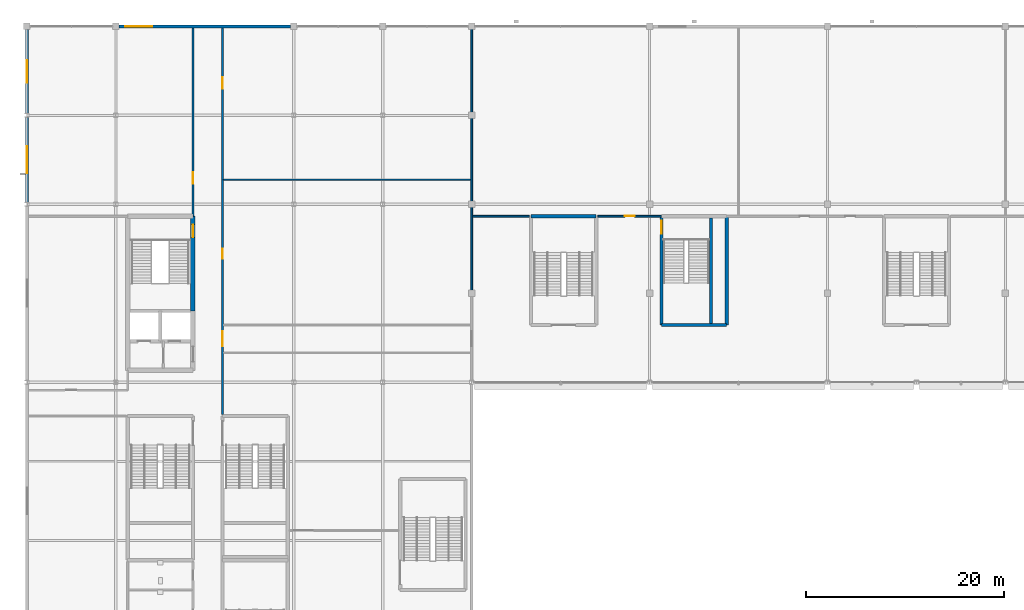
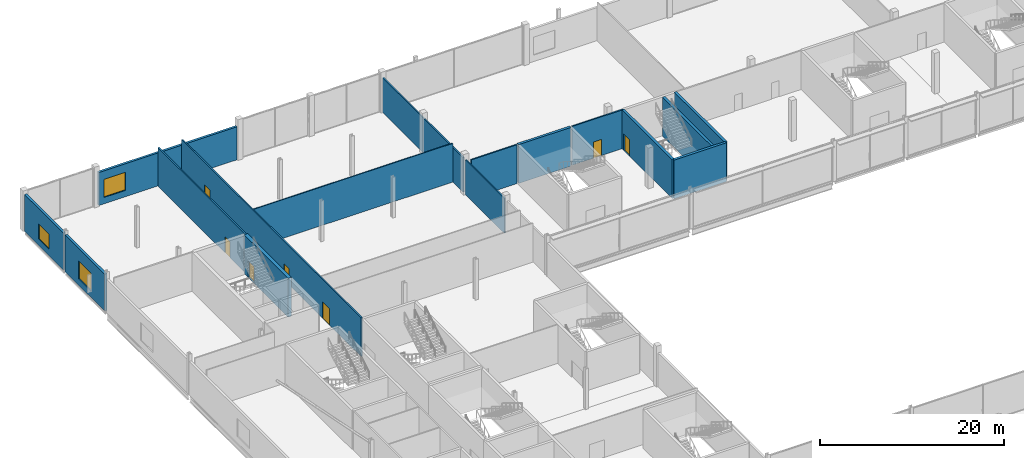
# One storey, part 62 of 111: 16 walls, 7 doors, 3 windows, 10 openings.
"""IFC4 building model written with IfcOpenShell, lengths in metres."""

from ifc_helpers import new_model, si_unit, direction, frame, frame_2d, origin, place, context, subcontext, project, spatial, rectangle, extrude, material, layer, layer_set, type_object, element, fill, save


model = new_model("IFC4")

# Units and contexts
model_context = context("Model", 3, precision=1e-05, world=origin(), true_north=direction((0.0, 1.0)))
body_context = subcontext(model_context, "Body", "Model", "MODEL_VIEW")
ifc_project = project(units=[si_unit("LENGTHUNIT", "METRE"), si_unit("AREAUNIT", "SQUARE_METRE"), si_unit("VOLUMEUNIT", "CUBIC_METRE"), si_unit("PLANEANGLEUNIT", "RADIAN"), si_unit("MASSUNIT", "GRAM", prefix="KILO")], contexts=[model_context])

# Site, building, storey
site_placement = place(None, origin())
site = spatial("IfcSite", under=ifc_project, at=site_placement, CompositionType="ELEMENT")
building_placement = place(site_placement, origin())
building = spatial("IfcBuilding", under=site, at=building_placement, Name="Kisiwana Market Hall", CompositionType="ELEMENT")
storey_placement = place(building_placement, frame((0.0, 0.0, 11.39990234375)))
storey = spatial("IfcBuildingStorey", under=building, at=storey_placement, Name="L02", CompositionType="ELEMENT", Elevation=11.39990234375)

# Wall
ifc_material_1 = material(Name="Concrete C40/50", Category="concrete")
ifc_layer_1 = layer(ifc_material_1, 0.320068359375, Name="Reinforced concrete shaft wall")
ifc_layer_set_1 = layer_set([ifc_layer_1], Name="WL-CORE-320")
wall_type_1 = type_object("IfcWallType", Name="WL-CORE-320", PredefinedType="SHEAR", material=ifc_layer_set_1)
wall_1_placement = place(storey_placement, frame((64.199951171875, 89.800048828125, 0.0), z_axis=(0.0, 0.0, 1.0), x_axis=(1.0, 0.0, 0.0)))
element("IfcWall", 1, at=wall_1_placement, inside=storey, type_object=wall_type_1, Name="Core N1 south wall W-0965", PredefinedType="SHEAR", context=body_context, shape_type="SweptSolid", body=[
    extrude(rectangle(XDim=6.60009765625, YDim=0.320068359375, at=frame_2d((3.300048828125, 0.0))), origin(), (0.0, 0.0, 1.0), 5.150146484375),
])

# Wall, opening, door
wall_2_placement = place(storey_placement, frame((64.199951171875, 89.800048828125, 0.0), z_axis=(0.0, 0.0, 1.0), x_axis=(0.0, 1.0, 0.0)))
wall_2 = element("IfcWall", 2, at=wall_2_placement, inside=storey, type_object=wall_type_1, Name="Core N1 west wall W-0967", PredefinedType="SHEAR", context=body_context, shape_type="SweptSolid", body=[
    extrude(rectangle(XDim=11.0, YDim=0.320068359375, at=frame_2d((5.5, 0.0))), origin(), (0.0, 0.0, 1.0), 5.150146484375),
])
opening_1_placement = place(wall_2_placement, frame((9.25, 0.0, 0.0)))
opening_1 = element("IfcOpeningElement", 3, at=opening_1_placement, cuts=wall_2, Name="Opening DR-L02-016", PredefinedType="OPENING", context=body_context, shape_type="SweptSolid", body=[
    extrude(rectangle(XDim=1.300048828125, YDim=2.199951171875, at=frame_2d((0.64990234375, 1.10009765625))), frame((0.0, 0.171875, 0.0), z_axis=(0.0, -1.0, 0.0), x_axis=(1.0, 0.0, 0.0)), (0.0, 0.0, 1.0), 0.343994140625),
])
ifc_material_2 = material(Name="Steel S275", Category="steel")
door_type_1 = type_object("IfcDoorType", Name="DR-STAIR-FD120-1300", OperationType="NOTDEFINED", PredefinedType="DOOR", material=ifc_material_2)
door_1_placement = place(opening_1_placement, origin())
door_1 = element("IfcDoor", 4, at=door_1_placement, inside=storey, type_object=door_type_1, Name="Podium Escape Stair N1 Fire Door (L02)", OperationType="SINGLE_SWING_RIGHT", OverallHeight=2.199951171875, OverallWidth=1.300048828125, PredefinedType="DOOR", context=body_context, shape_type="SweptSolid", body=[
    extrude(rectangle(XDim=1.300048828125, YDim=2.199951171875, at=frame_2d((0.64990234375, 1.10009765625))), frame((0.0, 0.02490234375, 0.0), z_axis=(0.0, -1.0, 0.0), x_axis=(1.0, 0.0, 0.0)), (0.0, 0.0, 1.0), 0.050048828125),
])
fill(opening_1, door_1)

# Walls
wall_3_placement = place(storey_placement, frame((70.800048828125, 89.800048828125, 0.0), z_axis=(0.0, 0.0, 1.0), x_axis=(0.0, 1.0, 0.0)))
element("IfcWall", 5, at=wall_3_placement, inside=storey, type_object=wall_type_1, Name="Core N1 east wall W-0968", PredefinedType="SHEAR", context=body_context, shape_type="SweptSolid", body=[
    extrude(rectangle(XDim=11.0, YDim=0.320068359375, at=frame_2d((5.5, 0.0))), origin(), (0.0, 0.0, 1.0), 5.150146484375),
])
wall_4_placement = place(storey_placement, frame((69.219970703125, 89.9599609375, 0.0), z_axis=(0.0, 0.0, 1.0), x_axis=(0.0, 1.0, 0.0)))
element("IfcWall", 6, at=wall_4_placement, inside=storey, type_object=wall_type_1, Name="Core N1 shaft divider W-0969", PredefinedType="SHEAR", context=body_context, shape_type="SweptSolid", body=[
    extrude(rectangle(XDim=10.679931640625, YDim=0.320068359375, at=frame_2d((5.33984375, 0.0))), origin(), (0.0, 0.0, 1.0), 5.150146484375),
])
wall_5_placement = place(storey_placement, frame((51.0, 100.800048828125, 0.0), z_axis=(0.0, 0.0, 1.0), x_axis=(1.0, 0.0, 0.0)))
element("IfcWall", 7, at=wall_5_placement, inside=storey, type_object=wall_type_1, Name="Core N3 outer shear wall W-1045", PredefinedType="SHEAR", context=body_context, shape_type="SweptSolid", body=[
    extrude(rectangle(XDim=6.60009765625, YDim=0.320068359375, at=frame_2d((3.300048828125, 0.0))), origin(), (0.0, 0.0, 1.0), 5.150146484375),
])

# Wall, opening, door
ifc_material_3 = material(Name="Concrete C40/50", Category="concrete")
ifc_layer_2 = layer(ifc_material_3, 0.449951171875, Name="Reinforced concrete core wall")
ifc_layer_set_2 = layer_set([ifc_layer_2], Name="WL-CORE-450")
wall_type_2 = type_object("IfcWallType", Name="WL-CORE-450", PredefinedType="SHEAR", material=ifc_layer_set_2)
wall_6_placement = place(storey_placement, frame((16.800048828125, 91.215087890625, 0.0), z_axis=(0.0, 0.0, 1.0), x_axis=(0.0, 1.0, 0.0)))
wall_6 = element("IfcWall", 8, at=wall_6_placement, inside=storey, type_object=wall_type_2, Name="Core W1 stair corridor shear wall W-0931", PredefinedType="SHEAR", context=body_context, shape_type="SweptSolid", body=[
    extrude(rectangle(XDim=9.5849609375, YDim=0.449951171875, at=frame_2d((4.79248046875, 0.0))), origin(), (0.0, 0.0, 1.0), 5.150146484375),
])
opening_2_placement = place(wall_6_placement, frame((7.43505859375, 0.0, 0.0)))
opening_2 = element("IfcOpeningElement", 9, at=opening_2_placement, cuts=wall_6, Name="Opening DR-L02-005", PredefinedType="OPENING", context=body_context, shape_type="SweptSolid", body=[
    extrude(rectangle(XDim=1.300048828125, YDim=2.199951171875, at=frame_2d((0.64990234375, 1.10009765625))), frame((0.0, 0.23681640625, 0.0), z_axis=(0.0, -1.0, 0.0), x_axis=(1.0, 0.0, 0.0)), (0.0, 0.0, 1.0), 0.473876953125),
])
door_2_placement = place(opening_2_placement, origin())
door_2 = element("IfcDoor", 10, at=door_2_placement, inside=storey, type_object=door_type_1, Name="Escape Stair W1 Fire Door (L02)", OperationType="SINGLE_SWING_RIGHT", OverallHeight=2.199951171875, OverallWidth=1.300048828125, PredefinedType="DOOR", context=body_context, shape_type="SweptSolid", body=[
    extrude(rectangle(XDim=1.300048828125, YDim=2.199951171875, at=frame_2d((0.64990234375, 1.10009765625))), frame((0.0, 0.02490234375, 0.0), z_axis=(0.0, -1.0, 0.0), x_axis=(1.0, 0.0, 0.0)), (0.0, 0.0, 1.0), 0.050048828125),
])
fill(opening_2, door_2)

ifc_material_4 = material(Name="Masonry blockwork", Category="masonry")
ifc_layer_3 = layer(ifc_material_4, 0.169921875, Name="Protected corridor partition")
ifc_layer_set_3 = layer_set([ifc_layer_3], Name="WL-CORR-170")
wall_type_3 = type_object("IfcWallType", Name="WL-CORR-170", PredefinedType="PARTITIONING", material=ifc_layer_set_3)
wall_7_placement = place(storey_placement, frame((16.800048828125, 100.800048828125, 0.0), z_axis=(0.0, 0.0, 1.0), x_axis=(0.0, 1.0, 0.0)))
wall_7 = element("IfcWall", 11, at=wall_7_placement, inside=storey, type_object=wall_type_3, Name="Interior partition W-1117", PredefinedType="PARTITIONING", context=body_context, shape_type="SweptSolid", body=[
    extrude(rectangle(XDim=19.017333984375, YDim=0.169921875, at=frame_2d((9.5087890625, 0.0))), origin(), (0.0, 0.0, 1.0), 5.150146484375),
])
opening_3_placement = place(wall_7_placement, frame((3.300048828125, 0.0, 0.0)))
opening_3 = element("IfcOpeningElement", 12, at=opening_3_placement, cuts=wall_7, Name="Opening DR-L02-050", PredefinedType="OPENING", context=body_context, shape_type="SweptSolid", body=[
    extrude(rectangle(XDim=1.14990234375, YDim=2.14990234375, at=frame_2d((0.574951171875, 1.074951171875))), frame((0.0, 0.096923828125, 0.0), z_axis=(0.0, -1.0, 0.0), x_axis=(1.0, 0.0, 0.0)), (0.0, 0.0, 1.0), 0.19384765625),
])
ifc_material_5 = material(Name="Aluminium alloy 6063-T6", Category="aluminium")
door_type_2 = type_object("IfcDoorType", Name="DR-MEET-1150", OperationType="NOTDEFINED", PredefinedType="DOOR", material=ifc_material_5)
door_3_placement = place(opening_3_placement, origin())
door_3 = element("IfcDoor", 13, at=door_3_placement, inside=storey, type_object=door_type_2, Name="L02 W Corner Office Suite North Door", OperationType="SINGLE_SWING_LEFT", OverallHeight=2.14990234375, OverallWidth=1.14990234375, PredefinedType="DOOR", context=body_context, shape_type="SweptSolid", body=[
    extrude(rectangle(XDim=1.14990234375, YDim=2.14990234375, at=frame_2d((0.574951171875, 1.074951171875))), frame((0.0, 0.02490234375, 0.0), z_axis=(0.0, -1.0, 0.0), x_axis=(1.0, 0.0, 0.0)), (0.0, 0.0, 1.0), 0.050048828125),
])
fill(opening_3, door_3)

# Wall, openings, doors
wall_8_placement = place(storey_placement, frame((19.800048828125, 80.760009765625, 0.0), z_axis=(0.0, 0.0, 1.0), x_axis=(0.0, 1.0, 0.0)))
wall_8 = element("IfcWall", 14, at=wall_8_placement, inside=storey, type_object=wall_type_3, Name="Interior partition W-1127", PredefinedType="PARTITIONING", context=body_context, shape_type="SweptSolid", body=[
    extrude(rectangle(XDim=39.057373046875, YDim=0.169921875, at=frame_2d((19.52880859375, 0.0))), origin(), (0.0, 0.0, 1.0), 5.150146484375),
])
opening_4_placement = place(wall_8_placement, frame((6.89111328125, 0.0, 0.0)))
opening_4 = element("IfcOpeningElement", 15, at=opening_4_placement, cuts=wall_8, Name="Opening DR-L02-060", PredefinedType="OPENING", context=body_context, shape_type="SweptSolid", body=[
    extrude(rectangle(XDim=1.5, YDim=2.199951171875, at=frame_2d((0.75, 1.10009765625))), frame((0.0, 0.096923828125, 0.0), z_axis=(0.0, -1.0, 0.0), x_axis=(1.0, 0.0, 0.0)), (0.0, 0.0, 1.0), 0.19384765625),
])
opening_5_placement = place(wall_8_placement, frame((15.7509765625, 0.0, 0.0)))
opening_5 = element("IfcOpeningElement", 16, at=opening_5_placement, cuts=wall_8, Name="Opening DR-L02-061", PredefinedType="OPENING", context=body_context, shape_type="SweptSolid", body=[
    extrude(rectangle(XDim=1.0, YDim=2.14990234375, at=frame_2d((0.5, 1.074951171875))), frame((0.0, 0.096923828125, 0.0), z_axis=(0.0, -1.0, 0.0), x_axis=(1.0, 0.0, 0.0)), (0.0, 0.0, 1.0), 0.19384765625),
])
opening_6_placement = place(wall_8_placement, frame((32.949951171875, 0.0, 0.0)))
opening_6 = element("IfcOpeningElement", 17, at=opening_6_placement, cuts=wall_8, Name="Opening DR-L02-062", PredefinedType="OPENING", context=body_context, shape_type="SweptSolid", body=[
    extrude(rectangle(XDim=1.14990234375, YDim=2.14990234375, at=frame_2d((0.574951171875, 1.074951171875))), frame((0.0, 0.096923828125, 0.0), z_axis=(0.0, -1.0, 0.0), x_axis=(1.0, 0.0, 0.0)), (0.0, 0.0, 1.0), 0.19384765625),
])
ifc_material_6 = material(Name="Steel S275", Category="steel")
door_type_3 = type_object("IfcDoorType", Name="DR-CORR-FD60-1500", OperationType="DOUBLE_DOOR_SINGLE_SWING", PredefinedType="DOOR", material=ifc_material_6)
door_4_placement = place(opening_4_placement, origin())
door_4 = element("IfcDoor", 18, at=door_4_placement, inside=storey, type_object=door_type_3, Name="L02 W North Guild Link Corridor Door", OperationType="DOUBLE_DOOR_SINGLE_SWING", OverallHeight=2.199951171875, OverallWidth=1.5, PredefinedType="DOOR", context=body_context, shape_type="SweptSolid", body=[
    extrude(rectangle(XDim=1.5, YDim=2.199951171875, at=frame_2d((0.75, 1.10009765625))), frame((0.0, 0.02490234375, 0.0), z_axis=(0.0, -1.0, 0.0), x_axis=(1.0, 0.0, 0.0)), (0.0, 0.0, 1.0), 0.050048828125),
])
fill(opening_4, door_4)
door_5_placement = place(opening_6_placement, frame((1.14990234375, 0.0, 0.0), z_axis=(0.0, 0.0, 1.0), x_axis=(-1.0, 0.0, 0.0)))
door_5 = element("IfcDoor", 19, at=door_5_placement, inside=storey, type_object=door_type_2, Name="L02 W Artisan Guild Studio Door", OperationType="SINGLE_SWING_LEFT", OverallHeight=2.14990234375, OverallWidth=1.14990234375, PredefinedType="DOOR", context=body_context, shape_type="SweptSolid", body=[
    extrude(rectangle(XDim=1.14990234375, YDim=2.14990234375, at=frame_2d((0.574951171875, 1.074951171875))), frame((0.0, 0.02490234375, 0.0), z_axis=(0.0, -1.0, 0.0), x_axis=(1.0, 0.0, 0.0)), (0.0, 0.0, 1.0), 0.050048828125),
])
fill(opening_6, door_5)
ifc_material_7 = material(Name="Aluminium alloy 6063-T6", Category="aluminium")
door_type_4 = type_object("IfcDoorType", Name="DR-OFF-1000", OperationType="NOTDEFINED", PredefinedType="DOOR", material=ifc_material_7)
door_6_placement = place(opening_5_placement, frame((1.0, 0.0, 0.0), z_axis=(0.0, 0.0, 1.0), x_axis=(-1.0, 0.0, 0.0)))
door_6 = element("IfcDoor", 20, at=door_6_placement, inside=storey, type_object=door_type_4, Name="L02 W Co-Working Studio North Door", OperationType="SINGLE_SWING_RIGHT", OverallHeight=2.14990234375, OverallWidth=1.0, PredefinedType="DOOR", context=body_context, shape_type="SweptSolid", body=[
    extrude(rectangle(XDim=1.0, YDim=2.14990234375, at=frame_2d((0.5, 1.074951171875))), frame((0.0, 0.02490234375, 0.0), z_axis=(0.0, -1.0, 0.0), x_axis=(1.0, 0.0, 0.0)), (0.0, 0.0, 1.0), 0.050048828125),
])
fill(opening_5, door_6)

# Walls
wall_9_placement = place(storey_placement, frame((45.0, 93.219970703125, 0.0), z_axis=(0.0, 0.0, 1.0), x_axis=(0.0, 1.0, 0.0)))
element("IfcWall", 21, at=wall_9_placement, inside=storey, type_object=wall_type_3, Name="Interior partition W-1132", PredefinedType="PARTITIONING", context=body_context, shape_type="SweptSolid", body=[
    extrude(rectangle(XDim=8.56005859375, YDim=0.169921875, at=frame_2d((4.280029296875, 0.0))), origin(), (0.0, 0.0, 1.0), 4.616943359375),
])
wall_10_placement = place(storey_placement, frame((45.0, 102.219970703125, 0.0), z_axis=(0.0, 0.0, 1.0), x_axis=(0.0, 1.0, 0.0)))
element("IfcWall", 22, at=wall_10_placement, inside=storey, type_object=wall_type_3, Name="Interior partition W-1133", PredefinedType="PARTITIONING", context=body_context, shape_type="SweptSolid", body=[
    extrude(rectangle(XDim=17.56005859375, YDim=0.169921875, at=frame_2d((8.780029296875, 0.0))), origin(), (0.0, 0.0, 1.0), 4.60888671875),
])
wall_11_placement = place(storey_placement, frame((45.0849609375, 100.800048828125, 0.0), z_axis=(0.0, 0.0, 1.0), x_axis=(1.0, 0.0, 0.0)))
element("IfcWall", 23, at=wall_11_placement, inside=storey, type_object=wall_type_3, Name="Interior partition W-1177", PredefinedType="PARTITIONING", context=body_context, shape_type="SweptSolid", body=[
    extrude(rectangle(XDim=5.755126953125, YDim=0.169921875, at=frame_2d((2.87744140625, 0.0))), origin(), (0.0, 0.0, 1.0), 5.150146484375),
])

# Wall, opening, door
wall_12_placement = place(storey_placement, frame((57.760009765625, 100.800048828125, 0.0), z_axis=(0.0, 0.0, 1.0), x_axis=(1.0, 0.0, 0.0)))
wall_12 = element("IfcWall", 24, at=wall_12_placement, inside=storey, type_object=wall_type_3, Name="Interior partition W-1178", PredefinedType="PARTITIONING", context=body_context, shape_type="SweptSolid", body=[
    extrude(rectangle(XDim=6.43994140625, YDim=0.169921875, at=frame_2d((3.219970703125, 0.0))), origin(), (0.0, 0.0, 1.0), 5.150146484375),
])
opening_7_placement = place(wall_12_placement, frame((2.719970703125, 0.0, 0.0)))
opening_7 = element("IfcOpeningElement", 25, at=opening_7_placement, cuts=wall_12, Name="Opening DR-L02-092", PredefinedType="OPENING", context=body_context, shape_type="SweptSolid", body=[
    extrude(rectangle(XDim=1.0, YDim=2.14990234375, at=frame_2d((0.5, 1.074951171875))), frame((0.0, 0.096923828125, 0.0), z_axis=(0.0, -1.0, 0.0), x_axis=(1.0, 0.0, 0.0)), (0.0, 0.0, 1.0), 0.19384765625),
])
door_7_placement = place(opening_7_placement, origin())
door_7 = element("IfcDoor", 26, at=door_7_placement, inside=storey, type_object=door_type_4, Name="L02 Studio N1 Door", OperationType="SINGLE_SWING_LEFT", OverallHeight=2.14990234375, OverallWidth=1.0, PredefinedType="DOOR", context=body_context, shape_type="SweptSolid", body=[
    extrude(rectangle(XDim=1.0, YDim=2.14990234375, at=frame_2d((0.5, 1.074951171875))), frame((0.0, 0.02490234375, 0.0), z_axis=(0.0, -1.0, 0.0), x_axis=(1.0, 0.0, 0.0)), (0.0, 0.0, 1.0), 0.050048828125),
])
fill(opening_7, door_7)

# Wall, opening, window
ifc_material_8 = material(Name="Masonry blockwork", Category="masonry")
ifc_layer_4 = layer(ifc_material_8, 0.139892578125, Name="Rendered masonry outer leaf")
ifc_material_9 = material(Name="Mineral wool insulation")
ifc_layer_5 = layer(ifc_material_9, 0.074951171875, Name="Mineral wool cavity insulation")
ifc_material_10 = material(Name="Gypsum plasterboard")
ifc_layer_6 = layer(ifc_material_10, 0.074951171875, Name="Calcium silicate inner lining")
ifc_layer_set_4 = layer_set([ifc_layer_4, ifc_layer_5, ifc_layer_6], Name="WL-EXT-MAS-290")
wall_type_4 = type_object("IfcWallType", Name="WL-EXT-MAS-290", PredefinedType="STANDARD", material=ifc_layer_set_4)
wall_13_placement = place(storey_placement, frame((9.31689453125, 120.0, 0.0), z_axis=(0.0, 0.0, 1.0), x_axis=(1.0, 0.0, 0.0)))
wall_13 = element("IfcWall", 27, at=wall_13_placement, inside=storey, type_object=wall_type_4, Name="Exterior wall W-1076", PredefinedType="STANDARD", context=body_context, shape_type="SweptSolid", body=[
    extrude(rectangle(XDim=17.3662109375, YDim=0.2900390625, at=frame_2d((8.68310546875, 0.0))), origin(), (0.0, 0.0, 1.0), 4.387939453125),
])
opening_8_placement = place(wall_13_placement, frame((0.64990234375, 0.0, 0.85009765625)))
opening_8 = element("IfcOpeningElement", 28, at=opening_8_placement, cuts=wall_13, Name="Opening WN-10", PredefinedType="OPENING", context=body_context, shape_type="SweptSolid", body=[
    extrude(rectangle(XDim=2.699951171875, YDim=2.39990234375, at=frame_2d((1.35009765625, 1.199951171875))), frame((0.0, 0.156982421875, 0.0), z_axis=(0.0, -1.0, 0.0), x_axis=(1.0, 0.0, 0.0)), (0.0, 0.0, 1.0), 0.31396484375),
])
ifc_material_11 = material(Name="Double-glazed solar-control low-E IGU", Category="glass")
window_type_1 = type_object("IfcWindowType", Name="WN-GLD-2700x2400", PartitioningType="SINGLE_PANEL", PredefinedType="WINDOW", material=ifc_material_11)
window_1_placement = place(opening_8_placement, origin())
window_1 = element("IfcWindow", 29, at=window_1_placement, inside=storey, type_object=window_type_1, Name="Exterior window WN-033", OverallHeight=2.39990234375, OverallWidth=2.699951171875, PartitioningType="SINGLE_PANEL", PredefinedType="WINDOW", context=body_context, shape_type="SweptSolid", body=[
    extrude(rectangle(XDim=2.699951171875, YDim=2.39990234375, at=frame_2d((1.35009765625, 1.199951171875))), frame((0.0, 0.030029296875, 0.0), z_axis=(0.0, -1.0, 0.0), x_axis=(1.0, 0.0, 0.0)), (0.0, 0.0, 1.0), 0.06005859375),
])
fill(opening_8, window_1)

wall_14_placement = place(storey_placement, frame((0.0, 102.194091796875, 0.0), z_axis=(0.0, 0.0, 1.0), x_axis=(0.0, 1.0, 0.0)))
wall_14 = element("IfcWall", 30, at=wall_14_placement, inside=storey, type_object=wall_type_4, Name="Exterior wall W-1086", PredefinedType="STANDARD", context=body_context, shape_type="SweptSolid", body=[
    extrude(rectangle(XDim=8.6171875, YDim=0.2900390625, at=frame_2d((4.30859375, 0.0))), origin(), (0.0, 0.0, 1.0), 4.900146484375),
])
opening_9_placement = place(wall_14_placement, frame((2.958740234375, 0.0, 0.85009765625)))
opening_9 = element("IfcOpeningElement", 31, at=opening_9_placement, cuts=wall_14, Name="Opening WN-10", PredefinedType="OPENING", context=body_context, shape_type="SweptSolid", body=[
    extrude(rectangle(XDim=2.699951171875, YDim=2.39990234375, at=frame_2d((1.35009765625, 1.199951171875))), frame((0.0, 0.156982421875, 0.0), z_axis=(0.0, -1.0, 0.0), x_axis=(1.0, 0.0, 0.0)), (0.0, 0.0, 1.0), 0.31396484375),
])
window_2_placement = place(opening_9_placement, origin())
window_2 = element("IfcWindow", 32, at=window_2_placement, inside=storey, type_object=window_type_1, Name="Exterior window WN-042", OverallHeight=2.39990234375, OverallWidth=2.699951171875, PartitioningType="SINGLE_PANEL", PredefinedType="WINDOW", context=body_context, shape_type="SweptSolid", body=[
    extrude(rectangle(XDim=2.699951171875, YDim=2.39990234375, at=frame_2d((1.35009765625, 1.199951171875))), frame((0.0, 0.030029296875, 0.0), z_axis=(0.0, -1.0, 0.0), x_axis=(1.0, 0.0, 0.0)), (0.0, 0.0, 1.0), 0.06005859375),
])
fill(opening_9, window_2)

wall_15_placement = place(storey_placement, frame((0.0, 111.188720703125, 0.0), z_axis=(0.0, 0.0, 1.0), x_axis=(0.0, 1.0, 0.0)))
wall_15 = element("IfcWall", 33, at=wall_15_placement, inside=storey, type_object=wall_type_4, Name="Exterior wall W-1087", PredefinedType="STANDARD", context=body_context, shape_type="SweptSolid", body=[
    extrude(rectangle(XDim=8.494384765625, YDim=0.2900390625, at=frame_2d((4.2470703125, 0.0))), origin(), (0.0, 0.0, 1.0), 4.900146484375),
])
opening_10_placement = place(wall_15_placement, frame((3.122314453125, 0.0, 0.85009765625)))
opening_10 = element("IfcOpeningElement", 34, at=opening_10_placement, cuts=wall_15, Name="Opening W-36", PredefinedType="OPENING", context=body_context, shape_type="SweptSolid", body=[
    extrude(rectangle(XDim=2.25, YDim=2.0, at=frame_2d((1.125, 1.0))), frame((0.0, 0.156982421875, 0.0), z_axis=(0.0, -1.0, 0.0), x_axis=(1.0, 0.0, 0.0)), (0.0, 0.0, 1.0), 0.31396484375),
])
ifc_material_12 = material(Name="Double-glazed solar-control low-E IGU", Category="glass")
window_type_2 = type_object("IfcWindowType", Name="WN-TWRC-2250x2000", PartitioningType="SINGLE_PANEL", PredefinedType="WINDOW", material=ifc_material_12)
window_3_placement = place(opening_10_placement, origin())
window_3 = element("IfcWindow", 35, at=window_3_placement, inside=storey, type_object=window_type_2, Name="Exterior window WN-026", OverallHeight=2.0, OverallWidth=2.25, PartitioningType="SINGLE_PANEL", PredefinedType="WINDOW", context=body_context, shape_type="SweptSolid", body=[
    extrude(rectangle(XDim=2.25, YDim=2.0, at=frame_2d((1.125, 1.0))), frame((0.0, 0.030029296875, 0.0), z_axis=(0.0, -1.0, 0.0), x_axis=(1.0, 0.0, 0.0)), (0.0, 0.0, 1.0), 0.06005859375),
])
fill(opening_10, window_3)

# Wall
ifc_material_13 = material(Name="Gypsum plasterboard")
ifc_layer_7 = layer(ifc_material_13, 0.125, Name="Double gypsum board + acoustic stud")
ifc_layer_set_5 = layer_set([ifc_layer_7], Name="WL-OFF-125")
wall_type_5 = type_object("IfcWallType", Name="WL-OFF-125", PredefinedType="PARTITIONING", material=ifc_layer_set_5)
wall_16_placement = place(storey_placement, frame((19.885009765625, 104.5, 0.0), z_axis=(0.0, 0.0, 1.0), x_axis=(1.0, 0.0, 0.0)))
element("IfcWall", 36, at=wall_16_placement, inside=storey, type_object=wall_type_5, Name="Interior partition W-1125", PredefinedType="PARTITIONING", context=body_context, shape_type="SweptSolid", body=[
    extrude(rectangle(XDim=25.030029296875, YDim=0.125, at=frame_2d((12.51513671875, 0.0))), origin(), (0.0, 0.0, 1.0), 5.150146484375),
])

save(model, "model.ifc")
